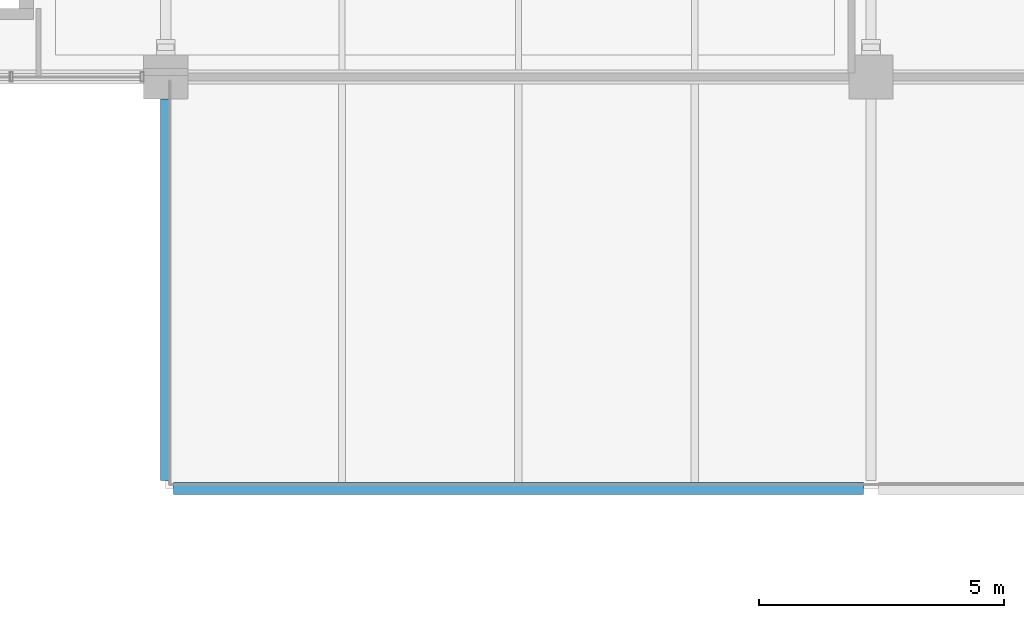
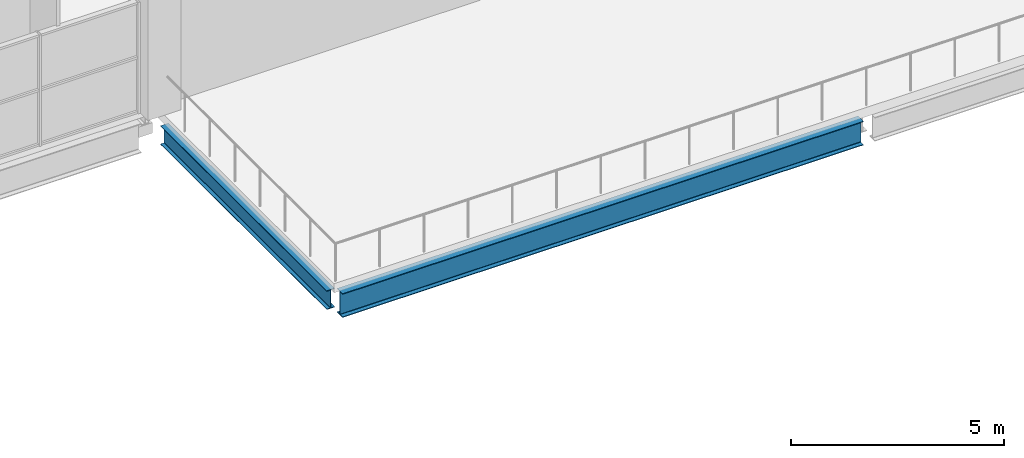
# One storey, part 38 of 93: 2 beams.
"""IFC4 building model written with IfcOpenShell, lengths in metres."""

import ifcopenshell
import ifcopenshell.guid

model = None  # the IFC model being written
_history = None  # IfcOwnerHistory: only IFC2X3 demands one
_inside = {}  # id of a spatial element -> (the spatial element, [elements in it])
_under = {}  # id of a project, library or spatial element -> (it, [spatial elements below it])
_declared = {}  # id of a project -> (the project, [libraries it declares])
_typed = {}  # id of a type object -> (the type object, [elements of that type])
_made_of = {}  # id of a material, layer set ... -> (it, [elements and type objects made of it])


def new_model(schema):
    """Start an empty IFC model of exactly this schema.

    Asked for "IFC4X3", IfcOpenShell would pick the latest addendum, in which some entities
    have other attributes; the version numbers below select the first issue.
    IFC2X3 requires an IfcOwnerHistory on every rooted entity: one is made here for all.
    """
    global model, _history
    if schema == "IFC4X3":
        model = ifcopenshell.file(schema_version=(4, 3, 0, 0))
    else:
        model = ifcopenshell.file(schema=schema)
    _inside.clear()
    _under.clear()
    _declared.clear()
    _typed.clear()
    _made_of.clear()
    _history = None
    if model.schema == "IFC2X3":
        org = make("IfcOrganization", Name="unknown")
        user = make(
            "IfcPersonAndOrganization",
            ThePerson=make("IfcPerson", FamilyName="unknown"),
            TheOrganization=org,
        )
        app = make(
            "IfcApplication",
            ApplicationDeveloper=org,
            Version="unknown",
            ApplicationFullName="unknown",
            ApplicationIdentifier="unknown",
        )
        _history = make(
            "IfcOwnerHistory",
            OwningUser=user,
            OwningApplication=app,
            ChangeAction="ADDED",
            CreationDate=0,
        )
    return model


def make(cls, **values):
    """One entity of the class cls with the attributes given. An attribute that is None is left unset."""
    return model.create_entity(
        cls, **{name: value for name, value in values.items() if value is not None}
    )


def rooted(cls, **values):
    """An entity with a GlobalId (a new one), such as an element, a storey or a relation."""
    return make(cls, GlobalId=ifcopenshell.guid.new(), OwnerHistory=_history, **values)


def si_unit(unit_type, name, prefix=None):
    """IfcSIUnit, for example si_unit("LENGTHUNIT", "METRE", prefix="MILLI")."""
    return make("IfcSIUnit", UnitType=unit_type, Prefix=prefix, Name=name)


def assignment(units):
    """IfcUnitAssignment: the units of a project."""
    return None if units is None else make("IfcUnitAssignment", Units=units)


def point(xyz):
    """IfcCartesianPoint."""
    return None if xyz is None else make("IfcCartesianPoint", Coordinates=xyz)


def direction(xyz):
    """IfcDirection."""
    return None if xyz is None else make("IfcDirection", DirectionRatios=xyz)


def frame(location, z_axis=None, x_axis=None):
    """IfcAxis2Placement3D, a coordinate frame: its origin and axes. An axis left out is left unset."""
    return make(
        "IfcAxis2Placement3D",
        Location=point(location),
        Axis=direction(z_axis),
        RefDirection=direction(x_axis),
    )


def frame_2d(location, x_axis=None):
    """IfcAxis2Placement2D, a coordinate frame in the plane: its origin and x axis."""
    return make(
        "IfcAxis2Placement2D", Location=point(location), RefDirection=direction(x_axis)
    )


def origin():
    """The frame at (0, 0, 0) with its axes left unset."""
    return frame((0.0, 0.0, 0.0))


def origin_2d():
    """The frame at (0, 0) in the plane with its x axis left unset."""
    return frame_2d((0.0, 0.0))


def place(relative_to, where):
    """IfcLocalPlacement: puts the frame where relative to a parent placement (None: the world)."""
    return make(
        "IfcLocalPlacement", PlacementRelTo=relative_to, RelativePlacement=where
    )


def context(
    kind, dimensions, precision=None, world=None, true_north=None, identifier=None
):
    """IfcGeometricRepresentationContext, for example the 3D "Model" context."""
    return make(
        "IfcGeometricRepresentationContext",
        ContextIdentifier=identifier,
        ContextType=kind,
        CoordinateSpaceDimension=dimensions,
        Precision=precision,
        WorldCoordinateSystem=world,
        TrueNorth=true_north,
    )


def subcontext(parent, identifier, kind, view, scale=None):
    """IfcGeometricRepresentationSubContext, for example "Body" below "Model"."""
    return make(
        "IfcGeometricRepresentationSubContext",
        ContextIdentifier=identifier,
        ContextType=kind,
        ParentContext=parent,
        TargetScale=scale,
        TargetView=view,
    )


def project(units=None, contexts=None):
    """IfcProject with its units and contexts."""
    return rooted(
        "IfcProject",
        Name="project",
        RepresentationContexts=contexts,
        UnitsInContext=assignment(units),
    )


def spatial(cls, under=None, at=None, **own):
    """A site, building, storey or space (cls), placed at a placement, below another one or the project."""
    s = rooted(cls, ObjectPlacement=at, **own)
    if under is not None:
        _under.setdefault(under.id(), (under, []))[1].append(s)
    return s


def profile(cls, at=None, kind="AREA", **sizes):
    """A parametric profile (cls). Its sizes go by their IFC names, for example OverallWidth=200.0."""
    return make(cls, ProfileType=kind, Position=at, **sizes)


def i_section(**sizes):
    """IfcIShapeProfileDef."""
    return profile("IfcIShapeProfileDef", **sizes)


def extrude(swept, where, along, depth):
    """IfcExtrudedAreaSolid: the profile swept, set in the frame where, extruded along a direction by depth."""
    return make(
        "IfcExtrudedAreaSolid",
        SweptArea=swept,
        Position=where,
        ExtrudedDirection=direction(along),
        Depth=depth,
    )


def shape(context_of_items, identifier, shape_type, items):
    """IfcShapeRepresentation: the items that make up one representation, for example the "Body"."""
    return make(
        "IfcShapeRepresentation",
        ContextOfItems=context_of_items,
        RepresentationIdentifier=identifier,
        RepresentationType=shape_type,
        Items=items,
    )


def material(Name=None, Category=None):
    """IfcMaterial."""
    return make("IfcMaterial", Name=Name, Category=Category)


def material_profile(
    of_material, cross_section, Name=None, Category=None, Priority=None
):
    """IfcMaterialProfile: a cross section and its material."""
    return make(
        "IfcMaterialProfile",
        Name=Name,
        Material=of_material,
        Profile=cross_section,
        Priority=Priority,
        Category=Category,
    )


def profile_set(profiles, Name=None, composite=None):
    """IfcMaterialProfileSet."""
    return make(
        "IfcMaterialProfileSet",
        Name=Name,
        MaterialProfiles=profiles,
        CompositeProfile=composite,
    )


def made_of(thing, what):
    """Note that an element or type object is made of a material, layer set ...; save() writes the relation."""
    if what is not None:
        _made_of.setdefault(what.id(), (what, []))[1].append(thing)
    return thing


def type_object(cls, material=None, **own):
    """A type object (cls), such as IfcWallType, which elements share."""
    return made_of(rooted(cls, **own), material)


def element(
    cls,
    number,
    at=None,
    inside=None,
    cuts=None,
    type_object=None,
    material=None,
    context=None,
    identifier="Body",
    shape_type=None,
    held_by="IfcProductDefinitionShape",
    body=None,
    shapes=None,
    **own,
):
    """One element of the class cls, such as IfcWall. Its Tag is "e" and its number.

    at: its placement. inside: the storey or other place that contains it. cuts: it is an
    opening in that element (IfcRelVoidsElement). A single representation is given by context,
    identifier, shape_type and body (its items); several are given by shapes. held_by: the class
    of the entity that holds the representations. save() writes the other relations.
    """
    e = rooted(cls, Tag="e%d" % number, ObjectPlacement=at, **own)
    if body is not None:
        shapes = [shape(context, identifier, shape_type, body)]
    if shapes is not None:
        e.Representation = make(held_by, Representations=shapes)
    if inside is not None:
        _inside.setdefault(inside.id(), (inside, []))[1].append(e)
    if cuts is not None:
        rooted(
            "IfcRelVoidsElement", RelatingBuildingElement=cuts, RelatedOpeningElement=e
        )
    if type_object is not None:
        _typed.setdefault(type_object.id(), (type_object, []))[1].append(e)
    return made_of(e, material)


def aggregate(whole, parts):
    """IfcRelAggregates: a whole, such as a stair, and the parts it consists of."""
    return rooted("IfcRelAggregates", RelatingObject=whole, RelatedObjects=parts)


def save(model, path):
    """Write the relations noted so far, then the file.

    IfcRelAggregates (storeys below a building ...), IfcRelContainedInSpatialStructure (elements
    in a storey), IfcRelDefinesByType, IfcRelAssociatesMaterial and IfcRelDeclares: one each for
    every whole, place, type object, material and project.
    """
    for whole, parts in _under.values():
        aggregate(whole, parts)
    for where, things in _inside.values():
        rooted(
            "IfcRelContainedInSpatialStructure",
            RelatedElements=things,
            RelatingStructure=where,
        )
    for kind, things in _typed.values():
        rooted("IfcRelDefinesByType", RelatedObjects=things, RelatingType=kind)
    for what, things in _made_of.values():
        rooted("IfcRelAssociatesMaterial", RelatedObjects=things, RelatingMaterial=what)
    for by, libraries in _declared.values():
        rooted("IfcRelDeclares", RelatingContext=by, RelatedDefinitions=libraries)
    model.write(path)


model = new_model("IFC4")

# Units and contexts
model_context = context("Model", 3, precision=1e-05, world=origin(), true_north=direction((0.0, 1.0)))
body_context = subcontext(model_context, "Body", "Model", "MODEL_VIEW")
ifc_project = project(units=[si_unit("LENGTHUNIT", "METRE"), si_unit("AREAUNIT", "SQUARE_METRE"), si_unit("VOLUMEUNIT", "CUBIC_METRE"), si_unit("PLANEANGLEUNIT", "RADIAN"), si_unit("MASSUNIT", "GRAM", prefix="KILO"), si_unit("THERMODYNAMICTEMPERATUREUNIT", "KELVIN")], contexts=[model_context])

# Site, building, storey
site_placement = place(None, origin())
site = spatial("IfcSite", under=ifc_project, at=site_placement, CompositionType="ELEMENT")
building_placement = place(site_placement, origin())
building = spatial("IfcBuilding", under=site, at=building_placement, Name="Nduvali Passage Aquatics Centre", CompositionType="ELEMENT")
storey_placement = place(building_placement, frame((0.0, 0.0, 9.0)))
storey = spatial("IfcBuildingStorey", under=building, at=storey_placement, Name="L02", CompositionType="ELEMENT", Elevation=9.0)

# Beams
ifc_material = material(Name="Steel S355", Category="steel")
ifc_material_profile_1 = material_profile(ifc_material, i_section(OverallWidth=0.210693359375, OverallDepth=0.53955078125, WebThickness=0.01171875, FlangeThickness=0.018798828125, FilletRadius=0.0126953125, at=origin_2d()), Name="UKB 533x210x109")
ifc_profile_set_1 = profile_set([ifc_material_profile_1], Name="Steel S355")
beam_type_1 = type_object("IfcBeamType", Name="STR-BM-UKB533", PredefinedType="BEAM", material=ifc_profile_set_1)
beam_1_placement = place(storey_placement, frame((54.0, 84.160400390625, -0.53369140625), z_axis=(0.0, 1.0, 0.0), x_axis=(-1.0, 0.0, 0.0)))
element("IfcBeam", 1, at=beam_1_placement, inside=storey, type_object=beam_type_1, Name="L02 Primary Y-Girder B6-0977", PredefinedType="BEAM", context=body_context, shape_type="SweptSolid", body=[
    extrude(i_section(OverallWidth=0.210693359375, OverallDepth=0.53955078125, WebThickness=0.01171875, FlangeThickness=0.018798828125, FilletRadius=0.0126953125, at=origin_2d()), origin(), (0.0, 0.0, 1.0), 7.78955078125),
])
ifc_material_profile_2 = material_profile(ifc_material, i_section(OverallWidth=0.253662109375, OverallDepth=0.68359375, WebThickness=0.012451171875, FlangeThickness=0.01904296875, FilletRadius=0.01513671875, at=origin_2d()), Name="UKB 686x254x140")
ifc_profile_set_2 = profile_set([ifc_material_profile_2], Name="Steel S355")
beam_type_2 = type_object("IfcBeamType", Name="STR-BM-UKB686", PredefinedType="BEAM", material=ifc_profile_set_2)
beam_2_placement = place(storey_placement, frame((54.154541015625, 84.0, -0.605712890625), z_axis=(1.0, 0.0, 0.0), x_axis=(0.0, 1.0, 0.0)))
element("IfcBeam", 2, at=beam_2_placement, inside=storey, type_object=beam_type_2, Name="L02 Primary X-Girder B4-0914", PredefinedType="BEAM", context=body_context, shape_type="SweptSolid", body=[
    extrude(i_section(OverallWidth=0.253662109375, OverallDepth=0.68359375, WebThickness=0.012451171875, FlangeThickness=0.01904296875, FilletRadius=0.01513671875, at=origin_2d()), origin(), (0.0, 0.0, 1.0), 14.0908203125),
])

save(model, "model.ifc")
